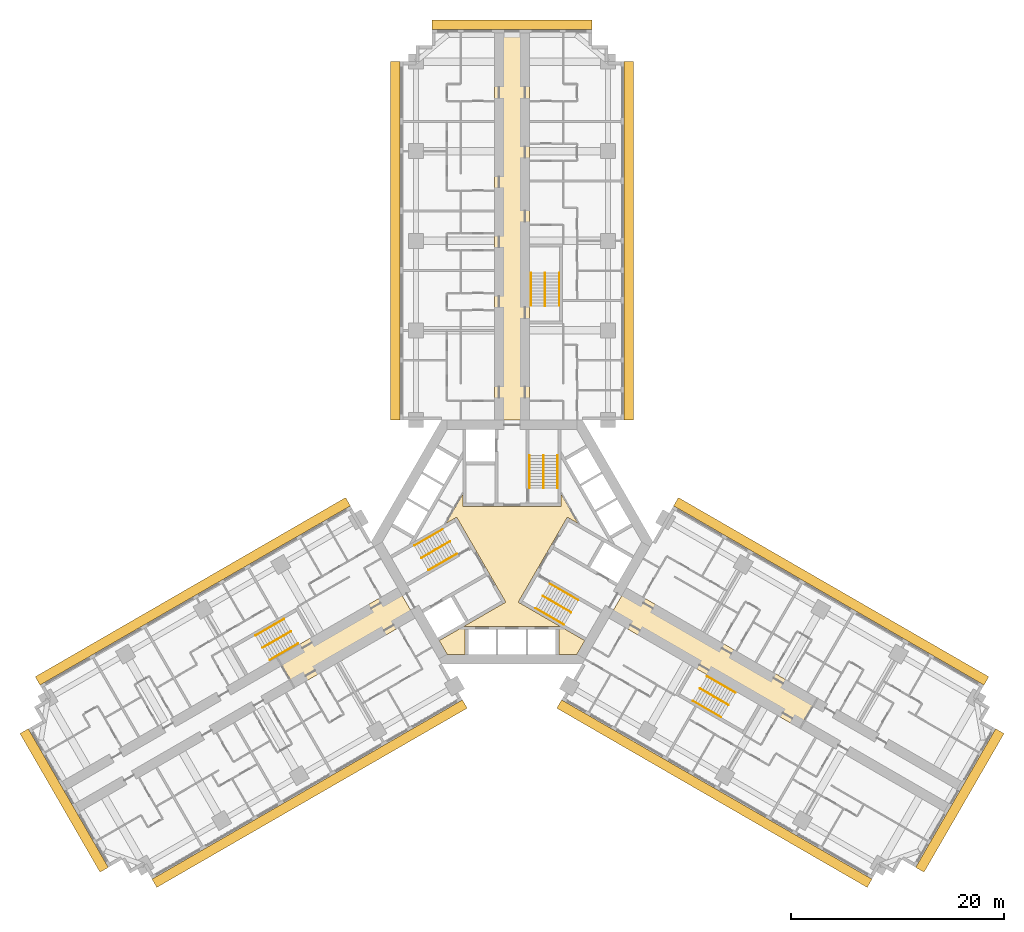
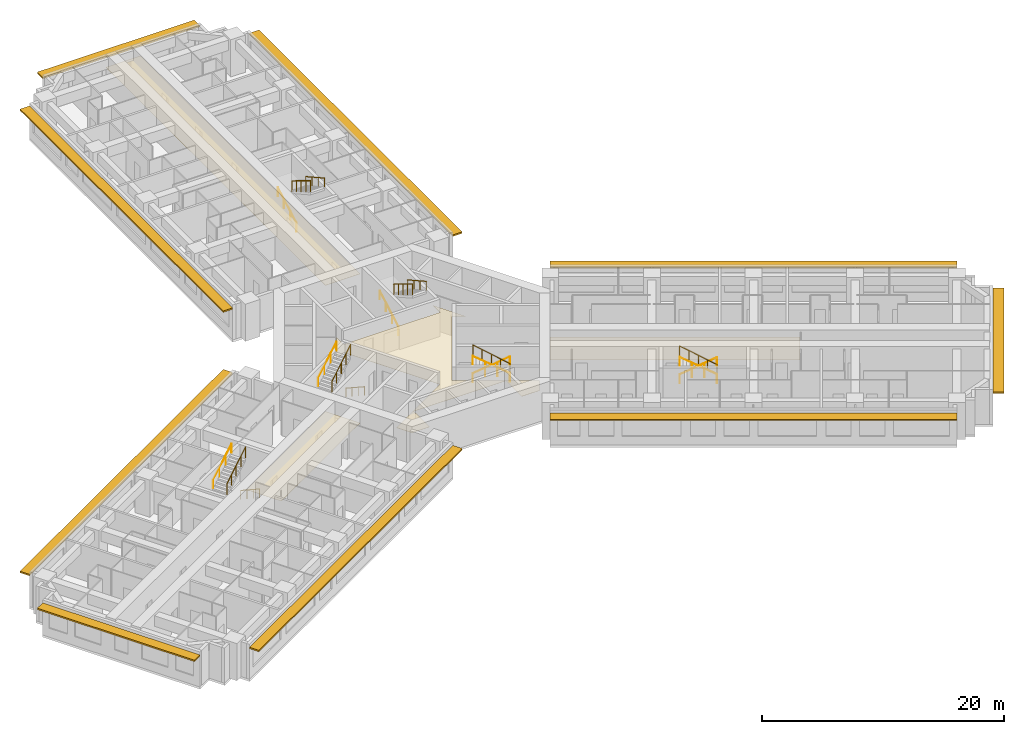
# One storey, part 16 of 16: 18 railings, 4 coverings, 3 shading devices.
"""IFC4 building model written with IfcOpenShell, lengths in metres."""

from ifc_helpers import new_model, si_unit, direction, frame, origin, origin_2d, place, context, subcontext, project, spatial, polyline, rectangle, circle, outline, extrude, material, layer, layer_set, type_object, element, save


model = new_model("IFC4")

# Units and contexts
model_context = context("Model", 3, precision=1e-05, world=origin(), true_north=direction((0.0, 1.0)))
body_context = subcontext(model_context, "Body", "Model", "MODEL_VIEW")
ifc_project = project(units=[si_unit("LENGTHUNIT", "METRE"), si_unit("AREAUNIT", "SQUARE_METRE"), si_unit("VOLUMEUNIT", "CUBIC_METRE"), si_unit("PLANEANGLEUNIT", "RADIAN"), si_unit("MASSUNIT", "GRAM", prefix="KILO")], contexts=[model_context])

# Site, building, storey
site_placement = place(None, origin())
site = spatial("IfcSite", under=ifc_project, at=site_placement, CompositionType="ELEMENT")
building_placement = place(site_placement, origin())
building = spatial("IfcBuilding", under=site, at=building_placement, Name="Impinga Residences", CompositionType="ELEMENT")
storey_placement = place(building_placement, frame((0.0, 0.0, 59.75)))
storey = spatial("IfcBuildingStorey", under=building, at=storey_placement, Name="L14", CompositionType="ELEMENT", Elevation=59.75)

# Coverings
ifc_material_1 = material(Name="Plasterboard 15 mm on steel hangers", Category="steel")
ifc_layer_1 = layer(ifc_material_1, 0.014892578125)
ifc_layer_set_1 = layer_set([ifc_layer_1], Name="Plasterboard 15 mm on steel hangers")
covering_type_1 = type_object("IfcCoveringType", Name="CL1 corridor ceiling, 15 mm plasterboard on hangers", PredefinedType="CEILING", material=ifc_layer_set_1)
covering_1_placement = place(storey_placement, frame((0.0, 0.0, 2.39990234375)))
element("IfcCovering", 1, at=covering_1_placement, inside=storey, type_object=covering_type_1, Name="Corridor ceiling CL1 L14-N00", PredefinedType="CEILING", context=body_context, shape_type="SweptSolid", body=[
    extrude(outline(polyline([(-1.64990234375, 11.431640625), (1.64990234375, 11.431640625), (1.64990234375, 47.7314453125), (-1.64990234375, 47.7314453125), (-1.64990234375, 11.431640625)])), origin(), (0.0, 0.0, 1.0), 0.01513671875),
])
covering_2_placement = place(storey_placement, frame((0.0, 0.0, 2.39990234375)))
element("IfcCovering", 2, at=covering_2_placement, inside=storey, type_object=covering_type_1, Name="Corridor ceiling CL1 L14-W00", PredefinedType="CEILING", context=body_context, shape_type="SweptSolid", body=[
    extrude(outline(polyline([(-10.72509765625, -4.286865234375), (-9.074951171875, -7.144775390625), (-20.349365234375, -13.654052734375), (-21.999267578125, -10.796142578125), (-10.72509765625, -4.286865234375)])), origin(), (0.0, 0.0, 1.0), 0.01513671875),
])
covering_3_placement = place(storey_placement, frame((0.0, 0.0, 2.39990234375)))
element("IfcCovering", 3, at=covering_3_placement, inside=storey, type_object=covering_type_1, Name="Corridor ceiling CL1 L14-E00", PredefinedType="CEILING", context=body_context, shape_type="SweptSolid", body=[
    extrude(outline(polyline([(9.074951171875, -7.144775390625), (10.72509765625, -4.286865234375), (28.60888671875, -14.612060546875), (26.958740234375, -17.469970703125), (9.074951171875, -7.144775390625)])), origin(), (0.0, 0.0, 1.0), 0.01513671875),
])
ifc_material_2 = material(Name="Mineral fibre tiles 20 mm on exposed grid", Category="mineral fibre")
ifc_layer_2 = layer(ifc_material_2, 0.02001953125)
ifc_layer_set_2 = layer_set([ifc_layer_2], Name="CL2 lift lobby ceiling, 20 mm mineral fibre tiles")
covering_type_2 = type_object("IfcCoveringType", Name="CL2 lift lobby ceiling, 20 mm mineral fibre tiles", PredefinedType="CEILING", material=ifc_layer_set_2)
covering_4_placement = place(storey_placement, frame((0.0, 0.0, 2.39990234375)))
element("IfcCovering", 4, at=covering_4_placement, inside=storey, type_object=covering_type_2, Name="Lift lobby ceiling CL2 L14-C01", PredefinedType="CEILING", context=body_context, shape_type="SweptSolid", body=[
    extrude(outline(polyline([(6.080322265625, -10.531494140625), (4.39990234375, -10.531494140625), (4.39990234375, -7.931640625), (-4.39990234375, -7.931640625), (-4.39990234375, -10.531494140625), (-6.080322265625, -10.531494140625), (-6.820556640625, -9.24951171875), (-0.583984375, -5.648681640625), (-5.183837890625, 2.318603515625), (-6.193359375, 1.73583984375), (-4.60009765625, 4.49560546875), (-4.60009765625, 3.330078125), (4.60009765625, 3.330078125), (4.60009765625, 4.49560546875), (6.193359375, 1.73583984375), (5.183837890625, 2.318603515625), (0.583984375, -5.648681640625), (6.820556640625, -9.24951171875), (6.080322265625, -10.531494140625)])), origin(), (0.0, 0.0, 1.0), 0.02001953125),
])

# Railings
ifc_material_3 = material(Name="Steel guard, powder coated", Category="steel")
railing_type_1 = type_object("IfcRailingType", Name="GR1 stair guard 1100", PredefinedType="GUARDRAIL", material=ifc_material_3)
railing_1_placement = place(storey_placement, frame((2.949951171875, 8.110107421875, 1.875)))
element("IfcRailing", 5, at=railing_1_placement, inside=storey, type_object=railing_type_1, Name="Stair guard GR1 ST1 L14", PredefinedType="GUARDRAIL", context=body_context, shape_type="SweptSolid", body=[
    extrude(circle(Radius=0.02392578125, at=origin_2d()), frame((0.0, 0.0, 1.076171875), z_axis=(0.0, -0.854177636135, 0.519981313056), x_axis=(1.0, 0.0, 0.0)), (0.0, 0.0, 1.0), 3.60595703125),
    extrude(circle(Radius=0.02099609375, at=origin_2d()), origin(), (0.0, 0.0, 1.0), 1.052001953125),
    extrude(circle(Radius=0.02099609375, at=origin_2d()), frame((0.0, -0.77001953125, 0.46875)), (0.0, 0.0, 1.0), 1.052001953125),
    extrude(circle(Radius=0.02099609375, at=origin_2d()), frame((0.0, -1.5400390625, 0.9375)), (0.0, 0.0, 1.0), 1.052001953125),
    extrude(circle(Radius=0.02099609375, at=origin_2d()), frame((0.0, -2.31005859375, 1.40625)), (0.0, 0.0, 1.0), 1.052001953125),
    extrude(circle(Radius=0.02099609375, at=origin_2d()), frame((0.0, -3.080078125, 1.875)), (0.0, 0.0, 1.0), 1.052001953125),
])
railing_2_placement = place(storey_placement, frame((-8.49853515625, -1.500244140625, 1.875)))
element("IfcRailing", 6, at=railing_2_placement, inside=storey, type_object=railing_type_1, Name="Stair guard GR1 ST2 L14", PredefinedType="GUARDRAIL", context=body_context, shape_type="SweptSolid", body=[
    extrude(circle(Radius=0.02392578125, at=origin_2d()), frame((0.0, 0.0, 1.076171875), z_axis=(0.739746383972, 0.427084037168, 0.519975492303), x_axis=(-0.499992328818, 0.866029832698, 0.0)), (0.0, 0.0, 1.0), 3.60595703125),
    extrude(circle(Radius=0.02099609375, at=origin_2d()), origin(), (0.0, 0.0, 1.0), 1.052001953125),
    extrude(circle(Radius=0.02099609375, at=origin_2d()), frame((0.6669921875, 0.385009765625, 0.46875)), (0.0, 0.0, 1.0), 1.052001953125),
    extrude(circle(Radius=0.02099609375, at=origin_2d()), frame((1.333740234375, 0.77001953125, 0.9375)), (0.0, 0.0, 1.0), 1.052001953125),
    extrude(circle(Radius=0.02099609375, at=origin_2d()), frame((2.00048828125, 1.155029296875, 1.40625)), (0.0, 0.0, 1.0), 1.052001953125),
    extrude(circle(Radius=0.02099609375, at=origin_2d()), frame((2.66748046875, 1.5400390625, 1.875)), (0.0, 0.0, 1.0), 1.052001953125),
])
railing_3_placement = place(storey_placement, frame((5.548583984375, -6.60986328125, 1.875)))
element("IfcRailing", 7, at=railing_3_placement, inside=storey, type_object=railing_type_1, Name="Stair guard GR1 ST3 L14", PredefinedType="GUARDRAIL", context=body_context, shape_type="SweptSolid", body=[
    extrude(circle(Radius=0.02392578125, at=origin_2d()), frame((0.0, 0.0, 1.076171875), z_axis=(-0.739746383972, 0.427084037168, 0.519975492303), x_axis=(-0.499992328818, -0.866029832698, 0.0)), (0.0, 0.0, 1.0), 3.60595703125),
    extrude(circle(Radius=0.02099609375, at=origin_2d()), origin(), (0.0, 0.0, 1.0), 1.052001953125),
    extrude(circle(Radius=0.02099609375, at=origin_2d()), frame((-0.6669921875, 0.385009765625, 0.46875)), (0.0, 0.0, 1.0), 1.052001953125),
    extrude(circle(Radius=0.02099609375, at=origin_2d()), frame((-1.333740234375, 0.77001953125, 0.9375)), (0.0, 0.0, 1.0), 1.052001953125),
    extrude(circle(Radius=0.02099609375, at=origin_2d()), frame((-2.00048828125, 1.155029296875, 1.40625)), (0.0, 0.0, 1.0), 1.052001953125),
    extrude(circle(Radius=0.02099609375, at=origin_2d()), frame((-2.66748046875, 1.5400390625, 1.875)), (0.0, 0.0, 1.0), 1.052001953125),
])
railing_4_placement = place(storey_placement, frame((3.10009765625, 25.21142578125, 1.875)))
element("IfcRailing", 8, at=railing_4_placement, inside=storey, type_object=railing_type_1, Name="Stair guard GR1 WS1 L14", PredefinedType="GUARDRAIL", context=body_context, shape_type="SweptSolid", body=[
    extrude(circle(Radius=0.02392578125, at=origin_2d()), frame((0.0, 0.0, 1.076171875), z_axis=(0.0, -0.854159328187, 0.520011386482), x_axis=(1.0, 0.0, 0.0)), (0.0, 0.0, 1.0), 3.605712890625),
    extrude(circle(Radius=0.02099609375, at=origin_2d()), origin(), (0.0, 0.0, 1.0), 1.052001953125),
    extrude(circle(Radius=0.02099609375, at=origin_2d()), frame((0.0, -0.77001953125, 0.46875)), (0.0, 0.0, 1.0), 1.052001953125),
    extrude(circle(Radius=0.02099609375, at=origin_2d()), frame((0.0, -1.5400390625, 0.9375)), (0.0, 0.0, 1.0), 1.052001953125),
    extrude(circle(Radius=0.02099609375, at=origin_2d()), frame((0.0, -2.309814453125, 1.40625)), (0.0, 0.0, 1.0), 1.052001953125),
    extrude(circle(Radius=0.02099609375, at=origin_2d()), frame((0.0, -3.079833984375, 1.875)), (0.0, 0.0, 1.0), 1.052001953125),
])
railing_5_placement = place(storey_placement, frame((-23.3837890625, -9.921142578125, 1.875)))
element("IfcRailing", 9, at=railing_5_placement, inside=storey, type_object=railing_type_1, Name="Stair guard GR1 WS2 L14", PredefinedType="GUARDRAIL", context=body_context, shape_type="SweptSolid", body=[
    extrude(circle(Radius=0.02392578125, at=origin_2d()), frame((0.0, 0.0, 1.076171875), z_axis=(0.739715726454, 0.427105428144, 0.52000153585), x_axis=(-0.500026652407, 0.866010015463, 0.0)), (0.0, 0.0, 1.0), 3.605712890625),
    extrude(circle(Radius=0.02099609375, at=origin_2d()), origin(), (0.0, 0.0, 1.0), 1.052001953125),
    extrude(circle(Radius=0.02099609375, at=origin_2d()), frame((0.666748046875, 0.385009765625, 0.46875)), (0.0, 0.0, 1.0), 1.052001953125),
    extrude(circle(Radius=0.02099609375, at=origin_2d()), frame((1.33349609375, 0.77001953125, 0.9375)), (0.0, 0.0, 1.0), 1.052001953125),
    extrude(circle(Radius=0.02099609375, at=origin_2d()), frame((2.00048828125, 1.155029296875, 1.40625)), (0.0, 0.0, 1.0), 1.052001953125),
    extrude(circle(Radius=0.02099609375, at=origin_2d()), frame((2.667236328125, 1.5400390625, 1.875)), (0.0, 0.0, 1.0), 1.052001953125),
])
railing_6_placement = place(storey_placement, frame((20.283935546875, -15.29052734375, 1.875)))
element("IfcRailing", 10, at=railing_6_placement, inside=storey, type_object=railing_type_1, Name="Stair guard GR1 WS3 L14", PredefinedType="GUARDRAIL", context=body_context, shape_type="SweptSolid", body=[
    extrude(circle(Radius=0.02392578125, at=origin_2d()), frame((0.0, 0.0, 1.076171875), z_axis=(-0.739746383972, 0.427084037168, 0.519975492303), x_axis=(-0.499992328818, -0.866029832698, 0.0)), (0.0, 0.0, 1.0), 3.60595703125),
    extrude(circle(Radius=0.02099609375, at=origin_2d()), origin(), (0.0, 0.0, 1.0), 1.052001953125),
    extrude(circle(Radius=0.02099609375, at=origin_2d()), frame((-0.6669921875, 0.385009765625, 0.46875)), (0.0, 0.0, 1.0), 1.052001953125),
    extrude(circle(Radius=0.02099609375, at=origin_2d()), frame((-1.333740234375, 0.77001953125, 0.9375)), (0.0, 0.0, 1.0), 1.052001953125),
    extrude(circle(Radius=0.02099609375, at=origin_2d()), frame((-2.00048828125, 1.155029296875, 1.40625)), (0.0, 0.0, 1.0), 1.052001953125),
    extrude(circle(Radius=0.02099609375, at=origin_2d()), frame((-2.66748046875, 1.5400390625, 1.875)), (0.0, 0.0, 1.0), 1.052001953125),
])
ifc_material_4 = material(Name="Steel handrail tube 42 mm, powder coated", Category="steel")
railing_type_2 = type_object("IfcRailingType", Name="HR1 stair handrail, 42 mm steel tube, 900 above the pitch line", PredefinedType="HANDRAIL", material=ifc_material_4)
railing_7_placement = place(storey_placement, frame((1.62109375, 5.030029296875, 0.15625)))
element("IfcRailing", 11, at=railing_7_placement, inside=storey, type_object=railing_type_2, Name="Stair handrail HR1 ST1 L14", PredefinedType="HANDRAIL", context=body_context, shape_type="SweptSolid", body=[
    extrude(circle(Radius=0.02099609375, at=origin_2d()), frame((0.0, 0.0, 0.87890625), z_axis=(0.0, 0.873241540666, 0.487287606713), x_axis=(-1.0, 0.0, 0.0)), (0.0, 0.0, 1.0), 3.527099609375),
    extrude(circle(Radius=0.012451171875, at=origin_2d()), origin(), (0.0, 0.0, 1.0), 0.85791015625),
    extrude(circle(Radius=0.012451171875, at=origin_2d()), frame((0.0, 1.026611328125, 0.572998046875)), (0.0, 0.0, 1.0), 0.85791015625),
    extrude(circle(Radius=0.012451171875, at=origin_2d()), frame((0.0, 2.053466796875, 1.145751953125)), (0.0, 0.0, 1.0), 0.85791015625),
    extrude(circle(Radius=0.012451171875, at=origin_2d()), frame((0.0, 3.080078125, 1.71875)), (0.0, 0.0, 1.0), 0.85791015625),
])
railing_8_placement = place(storey_placement, frame((4.279052734375, 8.110107421875, 2.03125)))
element("IfcRailing", 12, at=railing_8_placement, inside=storey, type_object=railing_type_2, Name="Stair handrail HR1 ST1 L14", PredefinedType="HANDRAIL", context=body_context, shape_type="SweptSolid", body=[
    extrude(circle(Radius=0.02099609375, at=origin_2d()), frame((0.0, 0.0, 0.87890625), z_axis=(0.0, -0.873241540666, 0.487287606713), x_axis=(1.0, 0.0, 0.0)), (0.0, 0.0, 1.0), 3.527099609375),
    extrude(circle(Radius=0.012451171875, at=origin_2d()), origin(), (0.0, 0.0, 1.0), 0.85791015625),
    extrude(circle(Radius=0.012451171875, at=origin_2d()), frame((0.0, -1.026611328125, 0.572998046875)), (0.0, 0.0, 1.0), 0.85791015625),
    extrude(circle(Radius=0.012451171875, at=origin_2d()), frame((0.0, -2.053466796875, 1.145751953125)), (0.0, 0.0, 1.0), 0.85791015625),
    extrude(circle(Radius=0.012451171875, at=origin_2d()), frame((0.0, -3.080078125, 1.71875)), (0.0, 0.0, 1.0), 0.85791015625),
])
railing_9_placement = place(storey_placement, frame((-5.16650390625, -1.111083984375, 0.15625)))
element("IfcRailing", 13, at=railing_9_placement, inside=storey, type_object=railing_type_2, Name="Stair handrail HR1 ST2 L14", PredefinedType="HANDRAIL", context=body_context, shape_type="SweptSolid", body=[
    extrude(circle(Radius=0.02099609375, at=origin_2d()), frame((0.0, 0.0, 0.87890625), z_axis=(-0.756255980417, -0.436615662133, 0.487281905742), x_axis=(0.499992328818, -0.866029832698, 0.0)), (0.0, 0.0, 1.0), 3.527099609375),
    extrude(circle(Radius=0.012451171875, at=origin_2d()), origin(), (0.0, 0.0, 1.0), 0.85791015625),
    extrude(circle(Radius=0.012451171875, at=origin_2d()), frame((-0.88916015625, -0.513427734375, 0.572998046875)), (0.0, 0.0, 1.0), 0.85791015625),
    extrude(circle(Radius=0.012451171875, at=origin_2d()), frame((-1.7783203125, -1.026611328125, 1.145751953125)), (0.0, 0.0, 1.0), 0.85791015625),
    extrude(circle(Radius=0.012451171875, at=origin_2d()), frame((-2.66748046875, -1.5400390625, 1.71875)), (0.0, 0.0, 1.0), 0.85791015625),
])
railing_10_placement = place(storey_placement, frame((-9.1630859375, -0.349365234375, 2.03125)))
element("IfcRailing", 14, at=railing_10_placement, inside=storey, type_object=railing_type_2, Name="Stair handrail HR1 ST2 L14", PredefinedType="HANDRAIL", context=body_context, shape_type="SweptSolid", body=[
    extrude(circle(Radius=0.02099609375, at=origin_2d()), frame((0.0, 0.0, 0.87890625), z_axis=(0.756255980417, 0.436615662133, 0.487281905742), x_axis=(-0.499992328818, 0.866029832698, 0.0)), (0.0, 0.0, 1.0), 3.527099609375),
    extrude(circle(Radius=0.012451171875, at=origin_2d()), origin(), (0.0, 0.0, 1.0), 0.85791015625),
    extrude(circle(Radius=0.012451171875, at=origin_2d()), frame((0.88916015625, 0.513427734375, 0.572998046875)), (0.0, 0.0, 1.0), 0.85791015625),
    extrude(circle(Radius=0.012451171875, at=origin_2d()), frame((1.7783203125, 1.026611328125, 1.145751953125)), (0.0, 0.0, 1.0), 0.85791015625),
    extrude(circle(Radius=0.012451171875, at=origin_2d()), frame((2.66748046875, 1.5400390625, 1.71875)), (0.0, 0.0, 1.0), 0.85791015625),
])
railing_11_placement = place(storey_placement, frame((3.545654296875, -3.9189453125, 0.15625)))
element("IfcRailing", 15, at=railing_11_placement, inside=storey, type_object=railing_type_2, Name="Stair handrail HR1 ST3 L14", PredefinedType="HANDRAIL", context=body_context, shape_type="SweptSolid", body=[
    extrude(circle(Radius=0.02099609375, at=origin_2d()), frame((0.0, 0.0, 0.87890625), z_axis=(0.756249203677, -0.436582492228, 0.487322141317), x_axis=(0.499967199496, 0.866044340336, 0.0)), (0.0, 0.0, 1.0), 3.52685546875),
    extrude(circle(Radius=0.012451171875, at=origin_2d()), origin(), (0.0, 0.0, 1.0), 0.85791015625),
    extrude(circle(Radius=0.012451171875, at=origin_2d()), frame((0.88916015625, -0.51318359375, 0.572998046875)), (0.0, 0.0, 1.0), 0.85791015625),
    extrude(circle(Radius=0.012451171875, at=origin_2d()), frame((1.778076171875, -1.026611328125, 1.145751953125)), (0.0, 0.0, 1.0), 0.85791015625),
    extrude(circle(Radius=0.012451171875, at=origin_2d()), frame((2.667236328125, -1.539794921875, 1.71875)), (0.0, 0.0, 1.0), 0.85791015625),
])
railing_12_placement = place(storey_placement, frame((4.884033203125, -7.7607421875, 2.03125)))
element("IfcRailing", 16, at=railing_12_placement, inside=storey, type_object=railing_type_2, Name="Stair handrail HR1 ST3 L14", PredefinedType="HANDRAIL", context=body_context, shape_type="SweptSolid", body=[
    extrude(circle(Radius=0.02099609375, at=origin_2d()), frame((0.0, 0.0, 0.87890625), z_axis=(-0.756255980417, 0.436615662133, 0.487281905742), x_axis=(-0.499992328818, -0.866029832698, 0.0)), (0.0, 0.0, 1.0), 3.527099609375),
    extrude(circle(Radius=0.012451171875, at=origin_2d()), origin(), (0.0, 0.0, 1.0), 0.85791015625),
    extrude(circle(Radius=0.012451171875, at=origin_2d()), frame((-0.88916015625, 0.513427734375, 0.572998046875)), (0.0, 0.0, 1.0), 0.85791015625),
    extrude(circle(Radius=0.012451171875, at=origin_2d()), frame((-1.7783203125, 1.026611328125, 1.145751953125)), (0.0, 0.0, 1.0), 0.85791015625),
    extrude(circle(Radius=0.012451171875, at=origin_2d()), frame((-2.66748046875, 1.5400390625, 1.71875)), (0.0, 0.0, 1.0), 0.85791015625),
])
railing_13_placement = place(storey_placement, frame((1.77099609375, 22.131591796875, 0.15625)))
element("IfcRailing", 17, at=railing_13_placement, inside=storey, type_object=railing_type_2, Name="Stair handrail HR1 WS1 L14", PredefinedType="HANDRAIL", context=body_context, shape_type="SweptSolid", body=[
    extrude(circle(Radius=0.02099609375, at=origin_2d()), frame((0.0, 0.0, 0.87890625), z_axis=(0.0, 0.873225103656, 0.487317061414), x_axis=(-1.0, 0.0, 0.0)), (0.0, 0.0, 1.0), 3.52685546875),
    extrude(circle(Radius=0.012451171875, at=origin_2d()), origin(), (0.0, 0.0, 1.0), 0.85791015625),
    extrude(circle(Radius=0.012451171875, at=origin_2d()), frame((0.0, 1.026611328125, 0.572998046875)), (0.0, 0.0, 1.0), 0.85791015625),
    extrude(circle(Radius=0.012451171875, at=origin_2d()), frame((0.0, 2.05322265625, 1.145751953125)), (0.0, 0.0, 1.0), 0.85791015625),
    extrude(circle(Radius=0.012451171875, at=origin_2d()), frame((0.0, 3.079833984375, 1.71875)), (0.0, 0.0, 1.0), 0.85791015625),
])
railing_14_placement = place(storey_placement, frame((4.428955078125, 25.21142578125, 2.03125)))
element("IfcRailing", 18, at=railing_14_placement, inside=storey, type_object=railing_type_2, Name="Stair handrail HR1 WS1 L14", PredefinedType="HANDRAIL", context=body_context, shape_type="SweptSolid", body=[
    extrude(circle(Radius=0.02099609375, at=origin_2d()), frame((0.0, 0.0, 0.87890625), z_axis=(0.0, -0.873225103656, 0.487317061414), x_axis=(1.0, 0.0, 0.0)), (0.0, 0.0, 1.0), 3.52685546875),
    extrude(circle(Radius=0.012451171875, at=origin_2d()), origin(), (0.0, 0.0, 1.0), 0.85791015625),
    extrude(circle(Radius=0.012451171875, at=origin_2d()), frame((0.0, -1.026611328125, 0.572998046875)), (0.0, 0.0, 1.0), 0.85791015625),
    extrude(circle(Radius=0.012451171875, at=origin_2d()), frame((0.0, -2.05322265625, 1.145751953125)), (0.0, 0.0, 1.0), 0.85791015625),
    extrude(circle(Radius=0.012451171875, at=origin_2d()), frame((0.0, -3.079833984375, 1.71875)), (0.0, 0.0, 1.0), 0.85791015625),
])
railing_15_placement = place(storey_placement, frame((-20.052001953125, -9.531982421875, 0.15625)))
element("IfcRailing", 19, at=railing_15_placement, inside=storey, type_object=railing_type_2, Name="Stair handrail HR1 WS2 L14", PredefinedType="HANDRAIL", context=body_context, shape_type="SweptSolid", body=[
    extrude(circle(Radius=0.02099609375, at=origin_2d()), frame((0.0, 0.0, 0.87890625), z_axis=(-0.756226348243, -0.436638517594, 0.487307413422), x_axis=(0.500026652407, -0.866010015463, 0.0)), (0.0, 0.0, 1.0), 3.527099609375),
    extrude(circle(Radius=0.012451171875, at=origin_2d()), origin(), (0.0, 0.0, 1.0), 0.85791015625),
    extrude(circle(Radius=0.012451171875, at=origin_2d()), frame((-0.88916015625, -0.513427734375, 0.572998046875)), (0.0, 0.0, 1.0), 0.85791015625),
    extrude(circle(Radius=0.012451171875, at=origin_2d()), frame((-1.778076171875, -1.026611328125, 1.145751953125)), (0.0, 0.0, 1.0), 0.85791015625),
    extrude(circle(Radius=0.012451171875, at=origin_2d()), frame((-2.667236328125, -1.5400390625, 1.71875)), (0.0, 0.0, 1.0), 0.85791015625),
])
railing_16_placement = place(storey_placement, frame((-24.04833984375, -8.77001953125, 2.03125)))
element("IfcRailing", 20, at=railing_16_placement, inside=storey, type_object=railing_type_2, Name="Stair handrail HR1 WS2 L14", PredefinedType="HANDRAIL", context=body_context, shape_type="SweptSolid", body=[
    extrude(circle(Radius=0.02099609375, at=origin_2d()), frame((0.0, 0.0, 0.87890625), z_axis=(0.756278834354, 0.436559638319, 0.487296631324), x_axis=(-0.499932877268, 0.866064153644, 0.0)), (0.0, 0.0, 1.0), 3.527099609375),
    extrude(circle(Radius=0.012451171875, at=origin_2d()), origin(), (0.0, 0.0, 1.0), 0.85791015625),
    extrude(circle(Radius=0.012451171875, at=origin_2d()), frame((0.88916015625, 0.51318359375, 0.572998046875)), (0.0, 0.0, 1.0), 0.85791015625),
    extrude(circle(Radius=0.012451171875, at=origin_2d()), frame((1.7783203125, 1.026611328125, 1.145751953125)), (0.0, 0.0, 1.0), 0.85791015625),
    extrude(circle(Radius=0.012451171875, at=origin_2d()), frame((2.66748046875, 1.539794921875, 1.71875)), (0.0, 0.0, 1.0), 0.85791015625),
])
railing_17_placement = place(storey_placement, frame((18.281005859375, -12.599609375, 0.15625)))
element("IfcRailing", 21, at=railing_17_placement, inside=storey, type_object=railing_type_2, Name="Stair handrail HR1 WS3 L14", PredefinedType="HANDRAIL", context=body_context, shape_type="SweptSolid", body=[
    extrude(circle(Radius=0.02099609375, at=origin_2d()), frame((0.0, 0.0, 0.87890625), z_axis=(0.756249203677, -0.436582492228, 0.487322141317), x_axis=(0.499967199496, 0.866044340336, 0.0)), (0.0, 0.0, 1.0), 3.52685546875),
    extrude(circle(Radius=0.012451171875, at=origin_2d()), origin(), (0.0, 0.0, 1.0), 0.85791015625),
    extrude(circle(Radius=0.012451171875, at=origin_2d()), frame((0.88916015625, -0.51318359375, 0.572998046875)), (0.0, 0.0, 1.0), 0.85791015625),
    extrude(circle(Radius=0.012451171875, at=origin_2d()), frame((1.778076171875, -1.026611328125, 1.145751953125)), (0.0, 0.0, 1.0), 0.85791015625),
    extrude(circle(Radius=0.012451171875, at=origin_2d()), frame((2.667236328125, -1.539794921875, 1.71875)), (0.0, 0.0, 1.0), 0.85791015625),
])
railing_18_placement = place(storey_placement, frame((19.619384765625, -16.44140625, 2.03125)))
element("IfcRailing", 22, at=railing_18_placement, inside=storey, type_object=railing_type_2, Name="Stair handrail HR1 WS3 L14", PredefinedType="HANDRAIL", context=body_context, shape_type="SweptSolid", body=[
    extrude(circle(Radius=0.02099609375, at=origin_2d()), frame((0.0, 0.0, 0.87890625), z_axis=(-0.756255980417, 0.436615662133, 0.487281905742), x_axis=(-0.499992328818, -0.866029832698, 0.0)), (0.0, 0.0, 1.0), 3.527099609375),
    extrude(circle(Radius=0.012451171875, at=origin_2d()), origin(), (0.0, 0.0, 1.0), 0.85791015625),
    extrude(circle(Radius=0.012451171875, at=origin_2d()), frame((-0.88916015625, 0.513427734375, 0.572998046875)), (0.0, 0.0, 1.0), 0.85791015625),
    extrude(circle(Radius=0.012451171875, at=origin_2d()), frame((-1.7783203125, 1.026611328125, 1.145751953125)), (0.0, 0.0, 1.0), 0.85791015625),
    extrude(circle(Radius=0.012451171875, at=origin_2d()), frame((-2.66748046875, 1.5400390625, 1.71875)), (0.0, 0.0, 1.0), 0.85791015625),
])

# Shading devices
ifc_material_5 = material(Name="Terracotta sunshade blades on aluminium brackets", Category="masonry")
ifc_layer_3 = layer(ifc_material_5, 0.14990234375)
ifc_layer_set_3 = layer_set([ifc_layer_3], Name="SS1 SUNSHADE terracotta sunshade band 900")
shading_device_type = type_object("IfcShadingDeviceType", Name="SS1 SUNSHADE terracotta sunshade band 900", PredefinedType="USERDEFINED", material=ifc_layer_set_3)
shading_device_1_placement = place(storey_placement, frame((-10.949951171875, 28.2314453125, 3.10009765625), z_axis=(0.0, 0.0, 1.0), x_axis=(0.0, 1.0, 0.0)))
element("IfcShadingDevice", 23, at=shading_device_1_placement, inside=storey, type_object=shading_device_type, Name="SUNSHADE band L14 NORTH WING", ObjectType="SUNSHADE", PredefinedType="USERDEFINED", context=body_context, shape_type="SweptSolid", body=[
    extrude(rectangle(XDim=33.60009765625, YDim=0.89990234375, at=origin_2d()), origin(), (0.0, 0.0, 1.0), 0.14990234375),
    extrude(rectangle(XDim=15.0, YDim=0.89990234375, at=origin_2d()), frame((20.25, -10.949951171875, 0.0), z_axis=(0.0, 0.0, 1.0), x_axis=(0.0, -1.0, 0.0)), (0.0, 0.0, 1.0), 0.14990234375),
    extrude(rectangle(XDim=33.60009765625, YDim=0.89990234375, at=origin_2d()), frame((0.0, -21.89990234375, 0.0), z_axis=(0.0, 0.0, 1.0), x_axis=(-1.0, 0.0, 0.0)), (0.0, 0.0, 1.0), 0.14990234375),
])
shading_device_2_placement = place(storey_placement, frame((-41.986328125, -24.24072265625, 3.10009765625), z_axis=(0.0, 0.0, 1.0), x_axis=(-0.5, 0.866025403784, 0.0)))
element("IfcShadingDevice", 24, at=shading_device_2_placement, inside=storey, type_object=shading_device_type, Name="SUNSHADE band L14 WEST WING", ObjectType="SUNSHADE", PredefinedType="USERDEFINED", context=body_context, shape_type="SweptSolid", body=[
    extrude(rectangle(XDim=15.0, YDim=0.89990234375, at=origin_2d()), origin(), (0.0, 0.0, 1.0), 0.14990234375),
    extrude(rectangle(XDim=33.60009765625, YDim=0.89990234375, at=origin_2d()), frame((10.949951171875, -20.25, 0.0), z_axis=(0.0, 0.0, 1.0), x_axis=(0.0, -1.0, 0.0)), (0.0, 0.0, 1.0), 0.14990234375),
    extrude(rectangle(XDim=33.60009765625, YDim=0.89990234375, at=origin_2d()), frame((-10.949951171875, -20.250244140625, 0.0), z_axis=(0.0, 0.0, 1.0), x_axis=(0.0, 1.0, 0.0)), (0.0, 0.0, 1.0), 0.14990234375),
])
shading_device_3_placement = place(storey_placement, frame((29.92431640625, -4.6328125, 3.10009765625), z_axis=(0.0, 0.0, 1.0), x_axis=(0.866025403784, -0.5, 0.0)))
element("IfcShadingDevice", 25, at=shading_device_3_placement, inside=storey, type_object=shading_device_type, Name="SUNSHADE band L14 EAST WING", ObjectType="SUNSHADE", PredefinedType="USERDEFINED", context=body_context, shape_type="SweptSolid", body=[
    extrude(rectangle(XDim=33.60009765625, YDim=0.89990234375, at=origin_2d()), origin(), (0.0, 0.0, 1.0), 0.14990234375),
    extrude(rectangle(XDim=15.0, YDim=0.89990234375, at=origin_2d()), frame((20.25, -10.949951171875, 0.0), z_axis=(0.0, 0.0, 1.0), x_axis=(0.0, -1.0, 0.0)), (0.0, 0.0, 1.0), 0.14990234375),
    extrude(rectangle(XDim=33.60009765625, YDim=0.89990234375, at=origin_2d()), frame((-0.000244140625, -21.89990234375, 0.0), z_axis=(0.0, 0.0, 1.0), x_axis=(-1.0, 0.0, 0.0)), (0.0, 0.0, 1.0), 0.14990234375),
])

save(model, "model.ifc")
